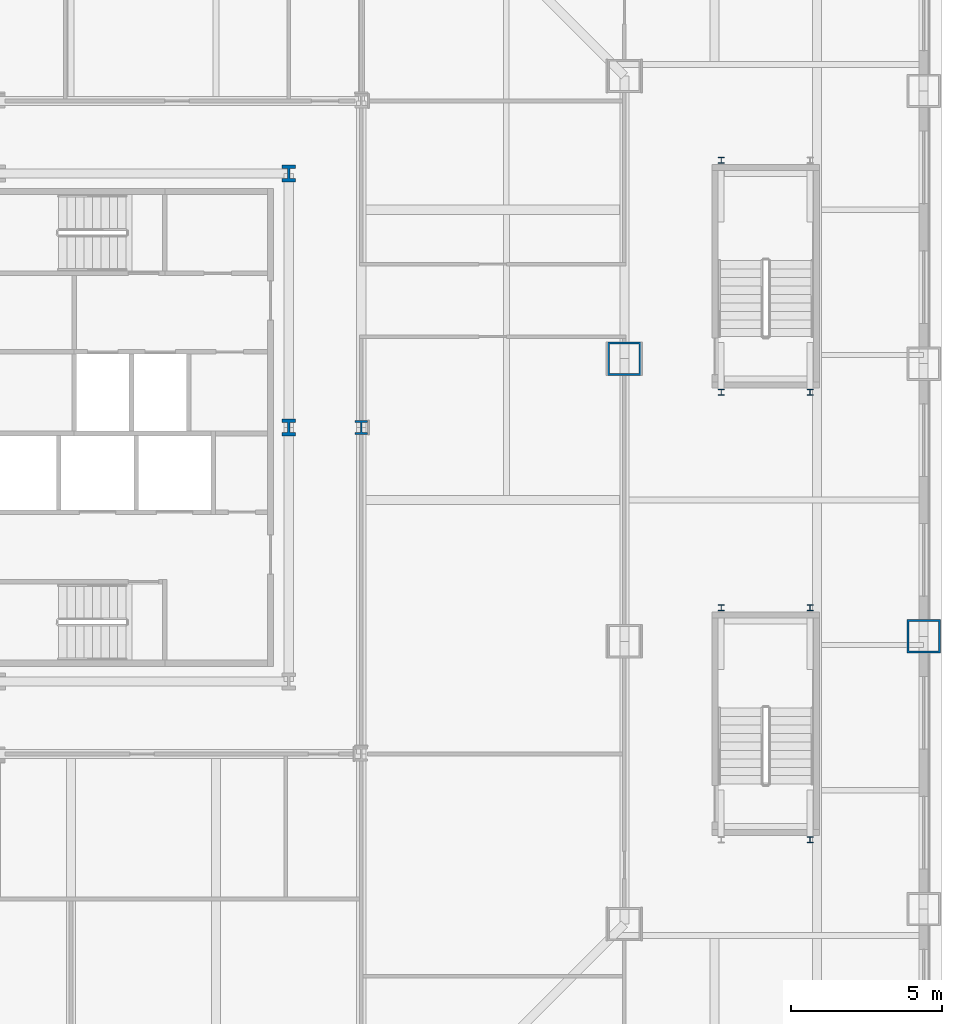
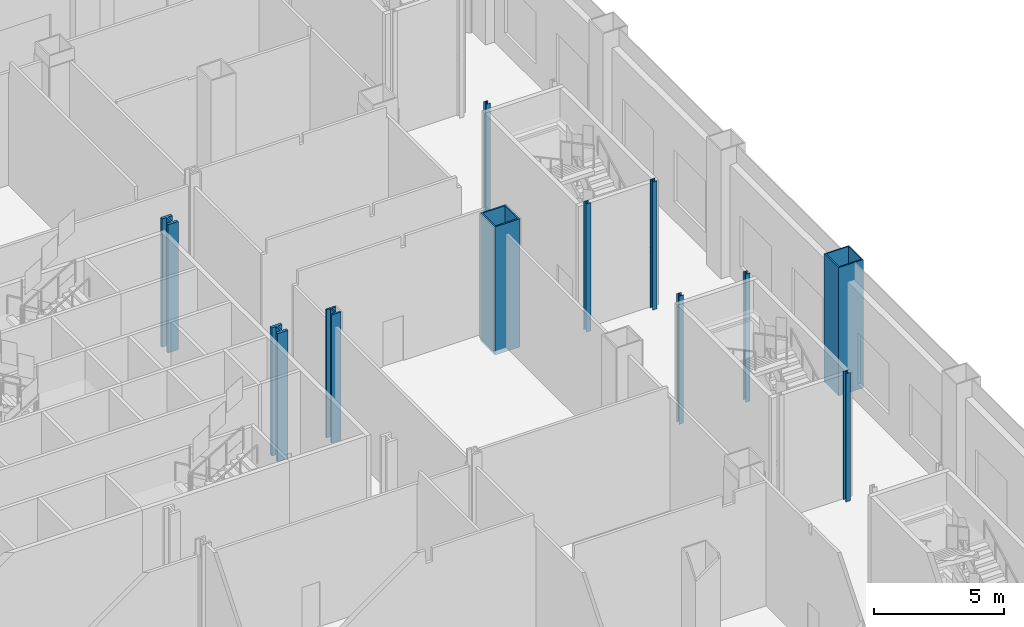
# One storey, part 6 of 31: 11 columns.
"""IFC4 building model written with IfcOpenShell, lengths in metres."""

import ifcopenshell
import ifcopenshell.guid

model = None  # the IFC model being written
_history = None  # IfcOwnerHistory: only IFC2X3 demands one
_inside = {}  # id of a spatial element -> (the spatial element, [elements in it])
_under = {}  # id of a project, library or spatial element -> (it, [spatial elements below it])
_declared = {}  # id of a project -> (the project, [libraries it declares])
_typed = {}  # id of a type object -> (the type object, [elements of that type])
_made_of = {}  # id of a material, layer set ... -> (it, [elements and type objects made of it])


def new_model(schema):
    """Start an empty IFC model of exactly this schema.

    Asked for "IFC4X3", IfcOpenShell would pick the latest addendum, in which some entities
    have other attributes; the version numbers below select the first issue.
    IFC2X3 requires an IfcOwnerHistory on every rooted entity: one is made here for all.
    """
    global model, _history
    if schema == "IFC4X3":
        model = ifcopenshell.file(schema_version=(4, 3, 0, 0))
    else:
        model = ifcopenshell.file(schema=schema)
    _inside.clear()
    _under.clear()
    _declared.clear()
    _typed.clear()
    _made_of.clear()
    _history = None
    if model.schema == "IFC2X3":
        org = make("IfcOrganization", Name="unknown")
        user = make(
            "IfcPersonAndOrganization",
            ThePerson=make("IfcPerson", FamilyName="unknown"),
            TheOrganization=org,
        )
        app = make(
            "IfcApplication",
            ApplicationDeveloper=org,
            Version="unknown",
            ApplicationFullName="unknown",
            ApplicationIdentifier="unknown",
        )
        _history = make(
            "IfcOwnerHistory",
            OwningUser=user,
            OwningApplication=app,
            ChangeAction="ADDED",
            CreationDate=0,
        )
    return model


def make(cls, **values):
    """One entity of the class cls with the attributes given. An attribute that is None is left unset."""
    return model.create_entity(
        cls, **{name: value for name, value in values.items() if value is not None}
    )


def rooted(cls, **values):
    """An entity with a GlobalId (a new one), such as an element, a storey or a relation."""
    return make(cls, GlobalId=ifcopenshell.guid.new(), OwnerHistory=_history, **values)


def si_unit(unit_type, name, prefix=None):
    """IfcSIUnit, for example si_unit("LENGTHUNIT", "METRE", prefix="MILLI")."""
    return make("IfcSIUnit", UnitType=unit_type, Prefix=prefix, Name=name)


def assignment(units):
    """IfcUnitAssignment: the units of a project."""
    return None if units is None else make("IfcUnitAssignment", Units=units)


def point(xyz):
    """IfcCartesianPoint."""
    return None if xyz is None else make("IfcCartesianPoint", Coordinates=xyz)


def direction(xyz):
    """IfcDirection."""
    return None if xyz is None else make("IfcDirection", DirectionRatios=xyz)


def frame(location, z_axis=None, x_axis=None):
    """IfcAxis2Placement3D, a coordinate frame: its origin and axes. An axis left out is left unset."""
    return make(
        "IfcAxis2Placement3D",
        Location=point(location),
        Axis=direction(z_axis),
        RefDirection=direction(x_axis),
    )


def frame_2d(location, x_axis=None):
    """IfcAxis2Placement2D, a coordinate frame in the plane: its origin and x axis."""
    return make(
        "IfcAxis2Placement2D", Location=point(location), RefDirection=direction(x_axis)
    )


def origin():
    """The frame at (0, 0, 0) with its axes left unset."""
    return frame((0.0, 0.0, 0.0))


def origin_2d():
    """The frame at (0, 0) in the plane with its x axis left unset."""
    return frame_2d((0.0, 0.0))


def place(relative_to, where):
    """IfcLocalPlacement: puts the frame where relative to a parent placement (None: the world)."""
    return make(
        "IfcLocalPlacement", PlacementRelTo=relative_to, RelativePlacement=where
    )


def context(
    kind, dimensions, precision=None, world=None, true_north=None, identifier=None
):
    """IfcGeometricRepresentationContext, for example the 3D "Model" context."""
    return make(
        "IfcGeometricRepresentationContext",
        ContextIdentifier=identifier,
        ContextType=kind,
        CoordinateSpaceDimension=dimensions,
        Precision=precision,
        WorldCoordinateSystem=world,
        TrueNorth=true_north,
    )


def subcontext(parent, identifier, kind, view, scale=None):
    """IfcGeometricRepresentationSubContext, for example "Body" below "Model"."""
    return make(
        "IfcGeometricRepresentationSubContext",
        ContextIdentifier=identifier,
        ContextType=kind,
        ParentContext=parent,
        TargetScale=scale,
        TargetView=view,
    )


def project(units=None, contexts=None):
    """IfcProject with its units and contexts."""
    return rooted(
        "IfcProject",
        Name="project",
        RepresentationContexts=contexts,
        UnitsInContext=assignment(units),
    )


def spatial(cls, under=None, at=None, **own):
    """A site, building, storey or space (cls), placed at a placement, below another one or the project."""
    s = rooted(cls, ObjectPlacement=at, **own)
    if under is not None:
        _under.setdefault(under.id(), (under, []))[1].append(s)
    return s


def profile(cls, at=None, kind="AREA", **sizes):
    """A parametric profile (cls). Its sizes go by their IFC names, for example OverallWidth=200.0."""
    return make(cls, ProfileType=kind, Position=at, **sizes)


def hollow_rectangle(**sizes):
    """IfcRectangleHollowProfileDef."""
    return profile("IfcRectangleHollowProfileDef", **sizes)


def i_section(**sizes):
    """IfcIShapeProfileDef."""
    return profile("IfcIShapeProfileDef", **sizes)


def extrude(swept, where, along, depth):
    """IfcExtrudedAreaSolid: the profile swept, set in the frame where, extruded along a direction by depth."""
    return make(
        "IfcExtrudedAreaSolid",
        SweptArea=swept,
        Position=where,
        ExtrudedDirection=direction(along),
        Depth=depth,
    )


def shape(context_of_items, identifier, shape_type, items):
    """IfcShapeRepresentation: the items that make up one representation, for example the "Body"."""
    return make(
        "IfcShapeRepresentation",
        ContextOfItems=context_of_items,
        RepresentationIdentifier=identifier,
        RepresentationType=shape_type,
        Items=items,
    )


def material(Name=None, Category=None):
    """IfcMaterial."""
    return make("IfcMaterial", Name=Name, Category=Category)


def material_profile(
    of_material, cross_section, Name=None, Category=None, Priority=None
):
    """IfcMaterialProfile: a cross section and its material."""
    return make(
        "IfcMaterialProfile",
        Name=Name,
        Material=of_material,
        Profile=cross_section,
        Priority=Priority,
        Category=Category,
    )


def profile_set(profiles, Name=None, composite=None):
    """IfcMaterialProfileSet."""
    return make(
        "IfcMaterialProfileSet",
        Name=Name,
        MaterialProfiles=profiles,
        CompositeProfile=composite,
    )


def made_of(thing, what):
    """Note that an element or type object is made of a material, layer set ...; save() writes the relation."""
    if what is not None:
        _made_of.setdefault(what.id(), (what, []))[1].append(thing)
    return thing


def type_object(cls, material=None, **own):
    """A type object (cls), such as IfcWallType, which elements share."""
    return made_of(rooted(cls, **own), material)


def element(
    cls,
    number,
    at=None,
    inside=None,
    cuts=None,
    type_object=None,
    material=None,
    context=None,
    identifier="Body",
    shape_type=None,
    held_by="IfcProductDefinitionShape",
    body=None,
    shapes=None,
    **own,
):
    """One element of the class cls, such as IfcWall. Its Tag is "e" and its number.

    at: its placement. inside: the storey or other place that contains it. cuts: it is an
    opening in that element (IfcRelVoidsElement). A single representation is given by context,
    identifier, shape_type and body (its items); several are given by shapes. held_by: the class
    of the entity that holds the representations. save() writes the other relations.
    """
    e = rooted(cls, Tag="e%d" % number, ObjectPlacement=at, **own)
    if body is not None:
        shapes = [shape(context, identifier, shape_type, body)]
    if shapes is not None:
        e.Representation = make(held_by, Representations=shapes)
    if inside is not None:
        _inside.setdefault(inside.id(), (inside, []))[1].append(e)
    if cuts is not None:
        rooted(
            "IfcRelVoidsElement", RelatingBuildingElement=cuts, RelatedOpeningElement=e
        )
    if type_object is not None:
        _typed.setdefault(type_object.id(), (type_object, []))[1].append(e)
    return made_of(e, material)


def aggregate(whole, parts):
    """IfcRelAggregates: a whole, such as a stair, and the parts it consists of."""
    return rooted("IfcRelAggregates", RelatingObject=whole, RelatedObjects=parts)


def save(model, path):
    """Write the relations noted so far, then the file.

    IfcRelAggregates (storeys below a building ...), IfcRelContainedInSpatialStructure (elements
    in a storey), IfcRelDefinesByType, IfcRelAssociatesMaterial and IfcRelDeclares: one each for
    every whole, place, type object, material and project.
    """
    for whole, parts in _under.values():
        aggregate(whole, parts)
    for where, things in _inside.values():
        rooted(
            "IfcRelContainedInSpatialStructure",
            RelatedElements=things,
            RelatingStructure=where,
        )
    for kind, things in _typed.values():
        rooted("IfcRelDefinesByType", RelatedObjects=things, RelatingType=kind)
    for what, things in _made_of.values():
        rooted("IfcRelAssociatesMaterial", RelatedObjects=things, RelatingMaterial=what)
    for by, libraries in _declared.values():
        rooted("IfcRelDeclares", RelatingContext=by, RelatedDefinitions=libraries)
    model.write(path)


model = new_model("IFC4")

# Units and contexts
model_context = context("Model", 3, precision=1e-05, world=origin(), true_north=direction((0.0, 1.0)))
body_context = subcontext(model_context, "Body", "Model", "MODEL_VIEW")
ifc_project = project(units=[si_unit("LENGTHUNIT", "METRE"), si_unit("AREAUNIT", "SQUARE_METRE"), si_unit("VOLUMEUNIT", "CUBIC_METRE"), si_unit("PLANEANGLEUNIT", "RADIAN"), si_unit("MASSUNIT", "GRAM", prefix="KILO")], contexts=[model_context])

# Site, building, storey
site_placement = place(None, origin())
site = spatial("IfcSite", under=ifc_project, at=site_placement, CompositionType="ELEMENT")
building_placement = place(site_placement, origin())
building = spatial("IfcBuilding", under=site, at=building_placement, Name="Cairn Pilgrim Tower", CompositionType="ELEMENT")
storey_placement = place(building_placement, frame((0.0, 0.0, 9.0)))
storey = spatial("IfcBuildingStorey", under=building, at=storey_placement, Name="L01", CompositionType="ELEMENT", Elevation=9.0)

# Columns
ifc_material_1 = material(Name="Structural steel S460M", Category="steel")
ifc_material_profile_1 = material_profile(ifc_material_1, hollow_rectangle(XDim=1.10009765625, YDim=1.10009765625, WallThickness=0.06005859375, at=origin_2d()), Name="BOX 1100x1100x60")
ifc_profile_set_1 = profile_set([ifc_material_profile_1], Name="Structural steel S460M")
column_type_1 = type_object("IfcColumnType", Name="BOX 1100x1100x60", PredefinedType="COLUMN", material=ifc_profile_set_1)
column_1_placement = place(storey_placement, frame((27.89990234375, 4.67578125, -0.199951171875), z_axis=(0.0, 0.0, 1.0), x_axis=(1.0, 0.0, 0.0)))
element("IfcColumn", 1, at=column_1_placement, inside=storey, type_object=column_type_1, Name="PC1-E3", PredefinedType="COLUMN", context=body_context, shape_type="SweptSolid", body=[
    extrude(hollow_rectangle(XDim=1.10009765625, YDim=1.10009765625, WallThickness=0.06005859375, at=origin_2d()), origin(), (0.0, 0.0, 1.0), 6.0),
])
ifc_material_profile_2 = material_profile(ifc_material_1, i_section(OverallWidth=0.4541015625, OverallDepth=0.569091796875, WebThickness=0.077880859375, FlangeThickness=0.125, FilletRadius=0.014892578125, at=origin_2d()), Name="HD 400x1086")
ifc_profile_set_2 = profile_set([ifc_material_profile_2], Name="Structural steel S460M")
column_type_2 = type_object("IfcColumnType", Name="HD 400x1086", PredefinedType="COLUMN", material=ifc_profile_set_2)
for number, where, z_axis, x_axis, name in (
    (2, (16.800048828125, 2.39990234375, -0.199951171875), (0.0, 0.0, 1.0), (1.0, 0.0, 0.0), "KC-5"),
    (3, (16.800048828125, 10.800048828125, -0.199951171875), (0.0, 0.0, 1.0), (1.0, 0.0, 0.0), "KC-8"),
):
    element("IfcColumn", number, at=place(storey_placement, frame(where, z_axis=z_axis, x_axis=x_axis)), inside=storey, type_object=column_type_2, Name=name, PredefinedType="COLUMN", context=body_context, shape_type="SweptSolid", body=[
        extrude(i_section(OverallWidth=0.4541015625, OverallDepth=0.569091796875, WebThickness=0.077880859375, FlangeThickness=0.125, FilletRadius=0.014892578125, at=origin_2d()), origin(), (0.0, 0.0, 1.0), 6.0),
    ])
ifc_material_profile_3 = material_profile(ifc_material_1, i_section(OverallWidth=0.424072265625, OverallDepth=0.47412109375, WebThickness=0.047607421875, FlangeThickness=0.0771484375, FilletRadius=0.014892578125, at=origin_2d()), Name="HD 400x634")
ifc_profile_set_3 = profile_set([ifc_material_profile_3], Name="Structural steel S460M")
column_type_3 = type_object("IfcColumnType", Name="HD 400x634", PredefinedType="COLUMN", material=ifc_profile_set_3)
column_2_placement = place(storey_placement, frame((19.199951171875, 2.39990234375, -0.199951171875), z_axis=(0.0, 0.0, 1.0), x_axis=(1.0, 0.0, 0.0)))
element("IfcColumn", 4, at=column_2_placement, inside=storey, type_object=column_type_3, Name="IC-5", PredefinedType="COLUMN", context=body_context, shape_type="SweptSolid", body=[
    extrude(i_section(OverallWidth=0.424072265625, OverallDepth=0.47412109375, WebThickness=0.047607421875, FlangeThickness=0.0771484375, FilletRadius=0.014892578125, at=origin_2d()), origin(), (0.0, 0.0, 1.0), 6.0),
])
ifc_material_profile_4 = material_profile(ifc_material_1, hollow_rectangle(XDim=1.10009765625, YDim=1.10009765625, WallThickness=0.06005859375, at=origin_2d()), Name="BOX 1100x1100x60")
ifc_profile_set_4 = profile_set([ifc_material_profile_4], Name="Structural steel S460M")
column_type_4 = type_object("IfcColumnType", Name="PILOTIS CFT 1100", PredefinedType="COLUMN", material=ifc_profile_set_4)
column_3_placement = place(storey_placement, frame((37.800048828125, -4.51025390625, 0.0), z_axis=(0.0, 0.0, 1.0), x_axis=(1.0, 0.0, 0.0)))
element("IfcColumn", 5, at=column_3_placement, inside=storey, type_object=column_type_4, Name="PILOTIS PL-E3", PredefinedType="COLUMN", context=body_context, shape_type="SweptSolid", body=[
    extrude(hollow_rectangle(XDim=1.10009765625, YDim=1.10009765625, WallThickness=0.06005859375, at=origin_2d()), origin(), (0.0, 0.0, 1.0), 6.0),
])
ifc_material_2 = material(Name="Structural steel S355J2", Category="steel")
ifc_material_profile_5 = material_profile(ifc_material_2, i_section(OverallWidth=0.199951171875, OverallDepth=0.199951171875, WebThickness=0.009033203125, FlangeThickness=0.014892578125, FilletRadius=0.01806640625, at=origin_2d()), Name="HE 200 B")
ifc_profile_set_5 = profile_set([ifc_material_profile_5], Name="Structural steel S355J2")
column_type_5 = type_object("IfcColumnType", Name="STAIR POST HE 200 B", PredefinedType="COLUMN", material=ifc_profile_set_5)
for number, where, z_axis, x_axis, name in (
    (6, (31.10498046875, -3.56005859375, 0.0), (0.0, 0.0, 1.0), (1.0, 0.0, 0.0), "STAIR POST LP-ES2-NA"),
    (7, (34.044921875, -3.56005859375, 0.0), (0.0, 0.0, 1.0), (1.0, 0.0, 0.0), "STAIR POST LP-ES2-NB"),
    (8, (34.044921875, -11.239990234375, 0.0), (0.0, 0.0, 1.0), (1.0, 0.0, 0.0), "STAIR POST LP-ES2-SB"),
    (9, (31.10498046875, 11.239990234375, 0.0), (0.0, 0.0, 1.0), (1.0, 0.0, 0.0), "STAIR POST LP-ES3-NA"),
    (10, (31.10498046875, 3.56005859375, 0.0), (0.0, 0.0, 1.0), (1.0, 0.0, 0.0), "STAIR POST LP-ES3-SA"),
    (11, (34.044921875, 3.56005859375, 0.0), (0.0, 0.0, 1.0), (1.0, 0.0, 0.0), "STAIR POST LP-ES3-SB"),
):
    element("IfcColumn", number, at=place(storey_placement, frame(where, z_axis=z_axis, x_axis=x_axis)), inside=storey, type_object=column_type_5, Name=name, PredefinedType="COLUMN", context=body_context, shape_type="SweptSolid", body=[
        extrude(i_section(OverallWidth=0.199951171875, OverallDepth=0.199951171875, WebThickness=0.009033203125, FlangeThickness=0.014892578125, FilletRadius=0.01806640625, at=origin_2d()), origin(), (0.0, 0.0, 1.0), 6.0),
    ])

save(model, "model.ifc")
